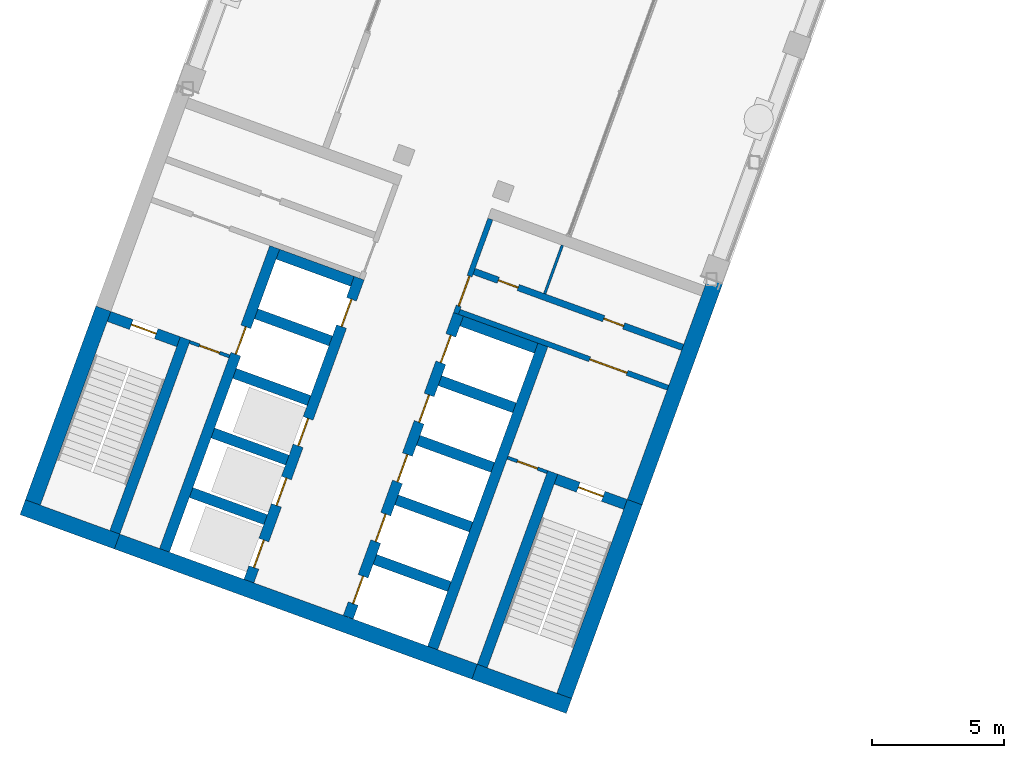
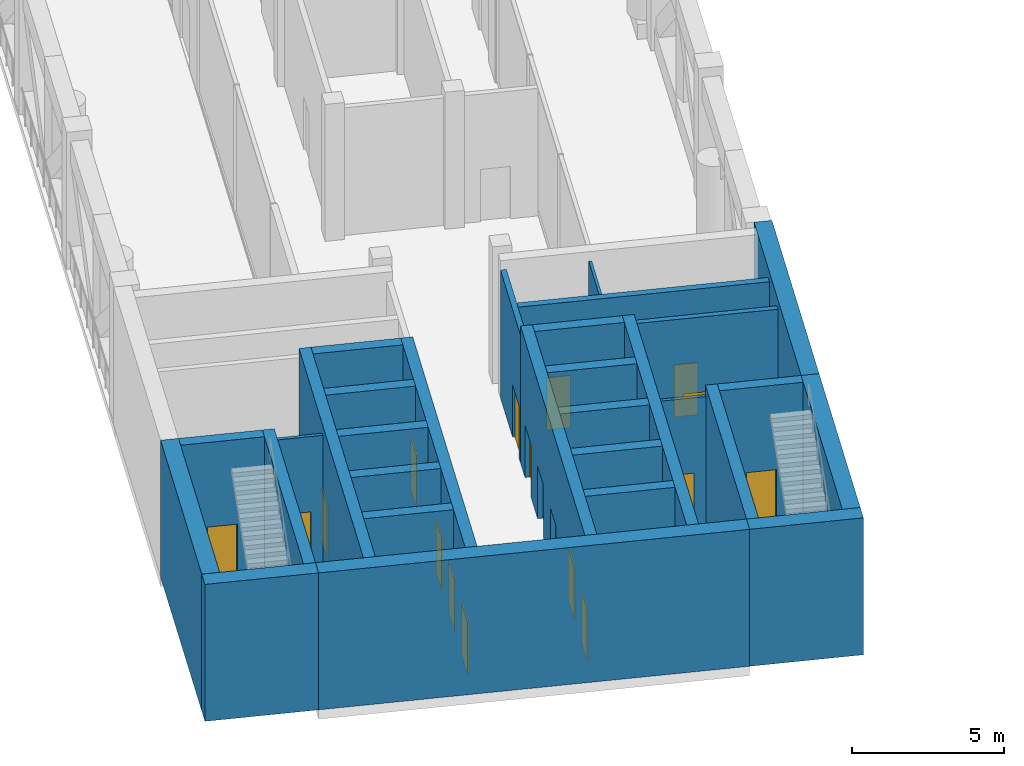
# One storey, part 11 of 19: 30 walls, 18 doors, 18 openings.
"""IFC4 building model written with IfcOpenShell, lengths in metres."""

import ifcopenshell
import ifcopenshell.guid

model = None  # the IFC model being written
_history = None  # IfcOwnerHistory: only IFC2X3 demands one
_inside = {}  # id of a spatial element -> (the spatial element, [elements in it])
_under = {}  # id of a project, library or spatial element -> (it, [spatial elements below it])
_declared = {}  # id of a project -> (the project, [libraries it declares])
_typed = {}  # id of a type object -> (the type object, [elements of that type])
_made_of = {}  # id of a material, layer set ... -> (it, [elements and type objects made of it])


def new_model(schema):
    """Start an empty IFC model of exactly this schema.

    Asked for "IFC4X3", IfcOpenShell would pick the latest addendum, in which some entities
    have other attributes; the version numbers below select the first issue.
    IFC2X3 requires an IfcOwnerHistory on every rooted entity: one is made here for all.
    """
    global model, _history
    if schema == "IFC4X3":
        model = ifcopenshell.file(schema_version=(4, 3, 0, 0))
    else:
        model = ifcopenshell.file(schema=schema)
    _inside.clear()
    _under.clear()
    _declared.clear()
    _typed.clear()
    _made_of.clear()
    _history = None
    if model.schema == "IFC2X3":
        org = make("IfcOrganization", Name="unknown")
        user = make(
            "IfcPersonAndOrganization",
            ThePerson=make("IfcPerson", FamilyName="unknown"),
            TheOrganization=org,
        )
        app = make(
            "IfcApplication",
            ApplicationDeveloper=org,
            Version="unknown",
            ApplicationFullName="unknown",
            ApplicationIdentifier="unknown",
        )
        _history = make(
            "IfcOwnerHistory",
            OwningUser=user,
            OwningApplication=app,
            ChangeAction="ADDED",
            CreationDate=0,
        )
    return model


def make(cls, **values):
    """One entity of the class cls with the attributes given. An attribute that is None is left unset."""
    return model.create_entity(
        cls, **{name: value for name, value in values.items() if value is not None}
    )


def rooted(cls, **values):
    """An entity with a GlobalId (a new one), such as an element, a storey or a relation."""
    return make(cls, GlobalId=ifcopenshell.guid.new(), OwnerHistory=_history, **values)


def si_unit(unit_type, name, prefix=None):
    """IfcSIUnit, for example si_unit("LENGTHUNIT", "METRE", prefix="MILLI")."""
    return make("IfcSIUnit", UnitType=unit_type, Prefix=prefix, Name=name)


def assignment(units):
    """IfcUnitAssignment: the units of a project."""
    return None if units is None else make("IfcUnitAssignment", Units=units)


def point(xyz):
    """IfcCartesianPoint."""
    return None if xyz is None else make("IfcCartesianPoint", Coordinates=xyz)


def direction(xyz):
    """IfcDirection."""
    return None if xyz is None else make("IfcDirection", DirectionRatios=xyz)


def frame(location, z_axis=None, x_axis=None):
    """IfcAxis2Placement3D, a coordinate frame: its origin and axes. An axis left out is left unset."""
    return make(
        "IfcAxis2Placement3D",
        Location=point(location),
        Axis=direction(z_axis),
        RefDirection=direction(x_axis),
    )


def frame_2d(location, x_axis=None):
    """IfcAxis2Placement2D, a coordinate frame in the plane: its origin and x axis."""
    return make(
        "IfcAxis2Placement2D", Location=point(location), RefDirection=direction(x_axis)
    )


def origin():
    """The frame at (0, 0, 0) with its axes left unset."""
    return frame((0.0, 0.0, 0.0))


def place(relative_to, where):
    """IfcLocalPlacement: puts the frame where relative to a parent placement (None: the world)."""
    return make(
        "IfcLocalPlacement", PlacementRelTo=relative_to, RelativePlacement=where
    )


def context(
    kind, dimensions, precision=None, world=None, true_north=None, identifier=None
):
    """IfcGeometricRepresentationContext, for example the 3D "Model" context."""
    return make(
        "IfcGeometricRepresentationContext",
        ContextIdentifier=identifier,
        ContextType=kind,
        CoordinateSpaceDimension=dimensions,
        Precision=precision,
        WorldCoordinateSystem=world,
        TrueNorth=true_north,
    )


def subcontext(parent, identifier, kind, view, scale=None):
    """IfcGeometricRepresentationSubContext, for example "Body" below "Model"."""
    return make(
        "IfcGeometricRepresentationSubContext",
        ContextIdentifier=identifier,
        ContextType=kind,
        ParentContext=parent,
        TargetScale=scale,
        TargetView=view,
    )


def project(units=None, contexts=None):
    """IfcProject with its units and contexts."""
    return rooted(
        "IfcProject",
        Name="project",
        RepresentationContexts=contexts,
        UnitsInContext=assignment(units),
    )


def spatial(cls, under=None, at=None, **own):
    """A site, building, storey or space (cls), placed at a placement, below another one or the project."""
    s = rooted(cls, ObjectPlacement=at, **own)
    if under is not None:
        _under.setdefault(under.id(), (under, []))[1].append(s)
    return s


def profile(cls, at=None, kind="AREA", **sizes):
    """A parametric profile (cls). Its sizes go by their IFC names, for example OverallWidth=200.0."""
    return make(cls, ProfileType=kind, Position=at, **sizes)


def rectangle(**sizes):
    """IfcRectangleProfileDef."""
    return profile("IfcRectangleProfileDef", **sizes)


def extrude(swept, where, along, depth):
    """IfcExtrudedAreaSolid: the profile swept, set in the frame where, extruded along a direction by depth."""
    return make(
        "IfcExtrudedAreaSolid",
        SweptArea=swept,
        Position=where,
        ExtrudedDirection=direction(along),
        Depth=depth,
    )


def shape(context_of_items, identifier, shape_type, items):
    """IfcShapeRepresentation: the items that make up one representation, for example the "Body"."""
    return make(
        "IfcShapeRepresentation",
        ContextOfItems=context_of_items,
        RepresentationIdentifier=identifier,
        RepresentationType=shape_type,
        Items=items,
    )


def material(Name=None, Category=None):
    """IfcMaterial."""
    return make("IfcMaterial", Name=Name, Category=Category)


def layer(
    of_material, thickness, ventilated=None, Name=None, Category=None, Priority=None
):
    """IfcMaterialLayer: one layer of a wall or slab, of a material (None: an air gap)."""
    return make(
        "IfcMaterialLayer",
        Material=of_material,
        LayerThickness=thickness,
        IsVentilated=ventilated,
        Name=Name,
        Category=Category,
        Priority=Priority,
    )


def layer_set(layers, Name=None):
    """IfcMaterialLayerSet."""
    return make("IfcMaterialLayerSet", MaterialLayers=layers, LayerSetName=Name)


def made_of(thing, what):
    """Note that an element or type object is made of a material, layer set ...; save() writes the relation."""
    if what is not None:
        _made_of.setdefault(what.id(), (what, []))[1].append(thing)
    return thing


def type_object(cls, material=None, **own):
    """A type object (cls), such as IfcWallType, which elements share."""
    return made_of(rooted(cls, **own), material)


def element(
    cls,
    number,
    at=None,
    inside=None,
    cuts=None,
    type_object=None,
    material=None,
    context=None,
    identifier="Body",
    shape_type=None,
    held_by="IfcProductDefinitionShape",
    body=None,
    shapes=None,
    **own,
):
    """One element of the class cls, such as IfcWall. Its Tag is "e" and its number.

    at: its placement. inside: the storey or other place that contains it. cuts: it is an
    opening in that element (IfcRelVoidsElement). A single representation is given by context,
    identifier, shape_type and body (its items); several are given by shapes. held_by: the class
    of the entity that holds the representations. save() writes the other relations.
    """
    e = rooted(cls, Tag="e%d" % number, ObjectPlacement=at, **own)
    if body is not None:
        shapes = [shape(context, identifier, shape_type, body)]
    if shapes is not None:
        e.Representation = make(held_by, Representations=shapes)
    if inside is not None:
        _inside.setdefault(inside.id(), (inside, []))[1].append(e)
    if cuts is not None:
        rooted(
            "IfcRelVoidsElement", RelatingBuildingElement=cuts, RelatedOpeningElement=e
        )
    if type_object is not None:
        _typed.setdefault(type_object.id(), (type_object, []))[1].append(e)
    return made_of(e, material)


def fill(opening, filler):
    """IfcRelFillsElement: the door or window that sits in an opening."""
    return rooted(
        "IfcRelFillsElement",
        RelatingOpeningElement=opening,
        RelatedBuildingElement=filler,
    )


def aggregate(whole, parts):
    """IfcRelAggregates: a whole, such as a stair, and the parts it consists of."""
    return rooted("IfcRelAggregates", RelatingObject=whole, RelatedObjects=parts)


def save(model, path):
    """Write the relations noted so far, then the file.

    IfcRelAggregates (storeys below a building ...), IfcRelContainedInSpatialStructure (elements
    in a storey), IfcRelDefinesByType, IfcRelAssociatesMaterial and IfcRelDeclares: one each for
    every whole, place, type object, material and project.
    """
    for whole, parts in _under.values():
        aggregate(whole, parts)
    for where, things in _inside.values():
        rooted(
            "IfcRelContainedInSpatialStructure",
            RelatedElements=things,
            RelatingStructure=where,
        )
    for kind, things in _typed.values():
        rooted("IfcRelDefinesByType", RelatedObjects=things, RelatingType=kind)
    for what, things in _made_of.values():
        rooted("IfcRelAssociatesMaterial", RelatedObjects=things, RelatingMaterial=what)
    for by, libraries in _declared.values():
        rooted("IfcRelDeclares", RelatingContext=by, RelatedDefinitions=libraries)
    model.write(path)


model = new_model("IFC4")

# Units and contexts
model_context = context("Model", 3, precision=1e-05, world=origin(), true_north=direction((0.0, 1.0)))
body_context = subcontext(model_context, "Body", "Model", "MODEL_VIEW")
ifc_project = project(units=[si_unit("LENGTHUNIT", "METRE"), si_unit("AREAUNIT", "SQUARE_METRE"), si_unit("VOLUMEUNIT", "CUBIC_METRE"), si_unit("PLANEANGLEUNIT", "RADIAN"), si_unit("MASSUNIT", "GRAM", prefix="KILO")], contexts=[model_context])

# Site, building, storey
site_placement = place(None, origin())
site = spatial("IfcSite", under=ifc_project, at=site_placement, CompositionType="ELEMENT")
building_placement = place(site_placement, origin())
building = spatial("IfcBuilding", under=site, at=building_placement, Name="Skarvind Civic Tower", CompositionType="ELEMENT")
storey_placement = place(building_placement, frame((0.0, 0.0, 129.0)))
storey = spatial("IfcBuildingStorey", under=building, at=storey_placement, Name="L30", CompositionType="ELEMENT", Elevation=129.0)

# Wall, opening, door
ifc_material_1 = material(Name="Fire-rated masonry partition", Category="masonry")
ifc_layer_1 = layer(ifc_material_1, 0.199951171875)
ifc_layer_set_1 = layer_set([ifc_layer_1], Name="Core enclosure wall 200")
wall_type_1 = type_object("IfcWallType", Name="Core enclosure wall 200", PredefinedType="PARTITIONING", material=ifc_layer_set_1)
wall_1_placement = place(storey_placement, frame((36.36181640625, 95.96435546875, 0.0), z_axis=(0.0, 0.0, 1.0), x_axis=(-0.341995824804, -0.939701471648, 0.0)))
wall_1 = element("IfcWall", 1, at=wall_1_placement, inside=storey, type_object=wall_type_1, Name="Core wall C2", PredefinedType="PARTITIONING", context=body_context, shape_type="SweptSolid", body=[
    extrude(rectangle(XDim=3.800048828125, YDim=0.199951171875, at=frame_2d((1.89990234375, 0.0))), origin(), (0.0, 0.0, 1.0), 5.125),
])
opening_1_placement = place(wall_1_placement, frame((2.300048828125, 0.0, 0.0)))
opening_1 = element("IfcOpeningElement", 2, at=opening_1_placement, cuts=wall_1, Name="Opening D-L30-C2-15", PredefinedType="OPENING", context=body_context, shape_type="SweptSolid", body=[
    extrude(rectangle(XDim=1.199951171875, YDim=2.10009765625, at=frame_2d((0.60009765625, 1.050048828125))), frame((0.0, 0.10986328125, 0.0), z_axis=(0.0, -1.0, 0.0), x_axis=(1.0, 0.0, 0.0)), (0.0, 0.0, 1.0), 0.219970703125),
])
ifc_material_2 = material(Name="Fire-rated steel door", Category="steel")
door_type_1 = type_object("IfcDoorType", Name="Core lobby door 1200", OperationType="NOTDEFINED", PredefinedType="DOOR", material=ifc_material_2)
door_1_placement = place(opening_1_placement, origin())
door_1 = element("IfcDoor", 3, at=door_1_placement, inside=storey, type_object=door_type_1, Name="Fire door", OperationType="DOUBLE_DOOR_SINGLE_SWING", OverallHeight=2.10009765625, OverallWidth=1.199951171875, PredefinedType="DOOR", context=body_context, shape_type="SweptSolid", body=[
    extrude(rectangle(XDim=1.199951171875, YDim=2.10009765625, at=frame_2d((0.60009765625, 1.050048828125))), frame((0.0, 0.02490234375, 0.0), z_axis=(0.0, -1.0, 0.0), x_axis=(1.0, 0.0, 0.0)), (0.0, 0.0, 1.0), 0.050048828125),
])
fill(opening_1, door_1)

wall_2_placement = place(storey_placement, frame((35.1904296875, 92.453369140625, 0.0), z_axis=(0.0, 0.0, 1.0), x_axis=(0.939691552312, -0.342023078919, 0.0)))
wall_2 = element("IfcWall", 4, at=wall_2_placement, inside=storey, type_object=wall_type_1, Name="Core wall C2", PredefinedType="PARTITIONING", context=body_context, shape_type="SweptSolid", body=[
    extrude(rectangle(XDim=8.400146484375, YDim=0.199951171875, at=frame_2d((4.2001953125, 0.0))), origin(), (0.0, 0.0, 1.0), 5.125),
])
opening_2_placement = place(wall_2_placement, frame((5.25, 0.0, 0.0)))
opening_2 = element("IfcOpeningElement", 5, at=opening_2_placement, cuts=wall_2, Name="Opening D-L30-C2-16", PredefinedType="OPENING", context=body_context, shape_type="SweptSolid", body=[
    extrude(rectangle(XDim=1.5, YDim=2.10009765625, at=frame_2d((0.75, 1.050048828125))), frame((0.0, 0.10986328125, 0.0), z_axis=(0.0, -1.0, 0.0), x_axis=(1.0, 0.0, 0.0)), (0.0, 0.0, 1.0), 0.219970703125),
])
door_type_2 = type_object("IfcDoorType", Name="Fire door 1500", OperationType="NOTDEFINED", PredefinedType="DOOR", material=ifc_material_2)
door_2_placement = place(opening_2_placement, origin())
door_2 = element("IfcDoor", 6, at=door_2_placement, inside=storey, type_object=door_type_2, Name="Fire door", OperationType="DOUBLE_DOOR_SINGLE_SWING", OverallHeight=2.10009765625, OverallWidth=1.5, PredefinedType="DOOR", context=body_context, shape_type="SweptSolid", body=[
    extrude(rectangle(XDim=1.5, YDim=2.10009765625, at=frame_2d((0.75, 1.050048828125))), frame((0.0, 0.02490234375, 0.0), z_axis=(0.0, -1.0, 0.0), x_axis=(1.0, 0.0, 0.0)), (0.0, 0.0, 1.0), 0.050048828125),
])
fill(opening_2, door_2)

# Walls
ifc_material_3 = material(Name="Fire-rated plasterboard partition")
ifc_layer_2 = layer(ifc_material_3, 0.10009765625)
ifc_layer_set_2 = layer_set([ifc_layer_2], Name="Core partition wall 100")
wall_type_2 = type_object("IfcWallType", Name="Core partition wall 100", PredefinedType="PARTITIONING", material=ifc_layer_set_2)
wall_3_placement = place(storey_placement, frame((39.087158203125, 94.97265625, 0.0), z_axis=(0.0, 0.0, 1.0), x_axis=(-0.342024501273, -0.939691034611, 0.0)))
element("IfcWall", 7, at=wall_3_placement, inside=storey, type_object=wall_type_2, Name="Core wall C2", PredefinedType="PARTITIONING", context=body_context, shape_type="SweptSolid", body=[
    extrude(rectangle(XDim=1.9501953125, YDim=0.10009765625, at=frame_2d((0.97509765625, 0.0))), origin(), (0.0, 0.0, 1.0), 5.125),
])
ifc_material_4 = material(Name="Concrete C80", Category="concrete")
ifc_layer_3 = layer(ifc_material_4, 0.39990234375)
ifc_layer_set_3 = layer_set([ifc_layer_3], Name="Core wall 400 C80")
wall_type_3 = type_object("IfcWallType", Name="Core wall 400 C80", PredefinedType="SHEAR", material=ifc_layer_set_3)
wall_4_placement = place(storey_placement, frame((36.057861328125, 79.04833984375, 0.0), z_axis=(0.0, 0.0, 1.0), x_axis=(0.342016982193, 0.939693771338, 0.0)))
element("IfcWall", 8, at=wall_4_placement, inside=storey, type_object=wall_type_3, Name="Core wall C2 south stair inner L30", PredefinedType="SHEAR", context=body_context, shape_type="SweptSolid", body=[
    extrude(rectangle(XDim=7.800048828125, YDim=0.39990234375, at=frame_2d((3.89990234375, 0.0))), origin(), (0.0, 0.0, 1.0), 5.5),
])

# Wall, opening, door
wall_5_placement = place(storey_placement, frame((41.476318359375, 85.163818359375, 0.0), z_axis=(0.0, 0.0, 1.0), x_axis=(-0.939678810556, 0.342058084236, 0.0)))
wall_5 = element("IfcWall", 9, at=wall_5_placement, inside=storey, type_object=wall_type_3, Name="Core wall C2 south stair end L30", PredefinedType="SHEAR", context=body_context, shape_type="SweptSolid", body=[
    extrude(rectangle(XDim=2.800048828125, YDim=0.39990234375, at=frame_2d((1.39990234375, 0.0))), origin(), (0.0, 0.0, 1.0), 5.5),
])
opening_3_placement = place(wall_5_placement, frame((0.89990234375, 0.0, 0.0)))
opening_3 = element("IfcOpeningElement", 10, at=opening_3_placement, cuts=wall_5, Name="Opening D-L30-C2-17", PredefinedType="OPENING", context=body_context, shape_type="SweptSolid", body=[
    extrude(rectangle(XDim=1.0, YDim=2.10009765625, at=frame_2d((0.5, 1.050048828125))), frame((0.0, 0.2099609375, 0.0), z_axis=(0.0, -1.0, 0.0), x_axis=(1.0, 0.0, 0.0)), (0.0, 0.0, 1.0), 0.419921875),
])
door_type_3 = type_object("IfcDoorType", Name="Fire door 1000", OperationType="NOTDEFINED", PredefinedType="DOOR", material=ifc_material_2)
door_3_placement = place(opening_3_placement, origin())
door_3 = element("IfcDoor", 11, at=door_3_placement, inside=storey, type_object=door_type_3, Name="Fire door", OperationType="SINGLE_SWING_RIGHT", OverallHeight=2.10009765625, OverallWidth=1.0, PredefinedType="DOOR", context=body_context, shape_type="SweptSolid", body=[
    extrude(rectangle(XDim=1.0, YDim=2.10009765625, at=frame_2d((0.5, 1.050048828125))), frame((0.0, 0.02490234375, 0.0), z_axis=(0.0, -1.0, 0.0), x_axis=(1.0, 0.0, 0.0)), (0.0, 0.0, 1.0), 0.050048828125),
])
fill(opening_3, door_3)

# Wall
wall_6_placement = place(storey_placement, frame((22.150390625, 84.110107421875, 0.0), z_axis=(0.0, 0.0, 1.0), x_axis=(0.342016982193, 0.939693771338, 0.0)))
element("IfcWall", 12, at=wall_6_placement, inside=storey, type_object=wall_type_3, Name="Core wall C2 north stair inner L30", PredefinedType="SHEAR", context=body_context, shape_type="SweptSolid", body=[
    extrude(rectangle(XDim=7.800048828125, YDim=0.39990234375, at=frame_2d((3.89990234375, 0.0))), origin(), (0.0, 0.0, 1.0), 5.5),
])

# Wall, opening, door
wall_7_placement = place(storey_placement, frame((24.56201171875, 91.3203125, 0.0), z_axis=(0.0, 0.0, 1.0), x_axis=(-0.939717030584, 0.341953070509, 0.0)))
wall_7 = element("IfcWall", 13, at=wall_7_placement, inside=storey, type_object=wall_type_3, Name="Core wall C2 north stair end L30", PredefinedType="SHEAR", context=body_context, shape_type="SweptSolid", body=[
    extrude(rectangle(XDim=2.800048828125, YDim=0.39990234375, at=frame_2d((1.39990234375, 0.0))), origin(), (0.0, 0.0, 1.0), 5.5),
])
opening_4_placement = place(wall_7_placement, frame((0.89990234375, 0.0, 0.0)))
opening_4 = element("IfcOpeningElement", 14, at=opening_4_placement, cuts=wall_7, Name="Opening D-L30-C2-12", PredefinedType="OPENING", context=body_context, shape_type="SweptSolid", body=[
    extrude(rectangle(XDim=1.0, YDim=2.10009765625, at=frame_2d((0.5, 1.050048828125))), frame((0.0, 0.2099609375, 0.0), z_axis=(0.0, -1.0, 0.0), x_axis=(1.0, 0.0, 0.0)), (0.0, 0.0, 1.0), 0.419921875),
])
door_4_placement = place(opening_4_placement, origin())
door_4 = element("IfcDoor", 15, at=door_4_placement, inside=storey, type_object=door_type_3, Name="Fire door", OperationType="SINGLE_SWING_LEFT", OverallHeight=2.10009765625, OverallWidth=1.0, PredefinedType="DOOR", context=body_context, shape_type="SweptSolid", body=[
    extrude(rectangle(XDim=1.0, YDim=2.10009765625, at=frame_2d((0.5, 1.050048828125))), frame((0.0, 0.02490234375, 0.0), z_axis=(0.0, -1.0, 0.0), x_axis=(1.0, 0.0, 0.0)), (0.0, 0.0, 1.0), 0.050048828125),
])
fill(opening_4, door_4)

# Wall, openings, doors
wall_8_placement = place(storey_placement, frame((30.983642578125, 80.895263671875, 0.0), z_axis=(0.0, 0.0, 1.0), x_axis=(0.342021021735, 0.939692301071, 0.0)))
wall_8 = element("IfcWall", 16, at=wall_8_placement, inside=storey, type_object=wall_type_3, Name="Core wall C2 south lift row front L30", PredefinedType="SHEAR", context=body_context, shape_type="SweptSolid", body=[
    extrude(rectangle(XDim=12.199951171875, YDim=0.39990234375, at=frame_2d((6.10009765625, 0.0))), origin(), (0.0, 0.0, 1.0), 5.5),
])
opening_5_placement = place(wall_8_placement, frame((0.550048828125, 0.0, 0.0)))
opening_5 = element("IfcOpeningElement", 17, at=opening_5_placement, cuts=wall_8, Name="Opening LD32206", PredefinedType="OPENING", context=body_context, shape_type="SweptSolid", body=[
    extrude(rectangle(XDim=1.10009765625, YDim=2.10009765625, at=frame_2d((0.550048828125, 1.050048828125))), frame((0.0, 0.2099609375, 0.0), z_axis=(0.0, -1.0, 0.0), x_axis=(1.0, 0.0, 0.0)), (0.0, 0.0, 1.0), 0.419921875),
])
opening_6_placement = place(wall_8_placement, frame((3.050048828125, 0.0, 0.0)))
opening_6 = element("IfcOpeningElement", 18, at=opening_6_placement, cuts=wall_8, Name="Opening LD32207", PredefinedType="OPENING", context=body_context, shape_type="SweptSolid", body=[
    extrude(rectangle(XDim=1.10009765625, YDim=2.10009765625, at=frame_2d((0.550048828125, 1.050048828125))), frame((0.0, 0.2099609375, 0.0), z_axis=(0.0, -1.0, 0.0), x_axis=(1.0, 0.0, 0.0)), (0.0, 0.0, 1.0), 0.419921875),
])
opening_7_placement = place(wall_8_placement, frame((5.449951171875, 0.0, 0.0)))
opening_7 = element("IfcOpeningElement", 19, at=opening_7_placement, cuts=wall_8, Name="Opening LD32208", PredefinedType="OPENING", context=body_context, shape_type="SweptSolid", body=[
    extrude(rectangle(XDim=1.10009765625, YDim=2.10009765625, at=frame_2d((0.550048828125, 1.050048828125))), frame((0.0, 0.2099609375, 0.0), z_axis=(0.0, -1.0, 0.0), x_axis=(1.0, 0.0, 0.0)), (0.0, 0.0, 1.0), 0.419921875),
])
opening_8_placement = place(wall_8_placement, frame((7.85009765625, 0.0, 0.0)))
opening_8 = element("IfcOpeningElement", 20, at=opening_8_placement, cuts=wall_8, Name="Opening LD32209", PredefinedType="OPENING", context=body_context, shape_type="SweptSolid", body=[
    extrude(rectangle(XDim=1.10009765625, YDim=2.10009765625, at=frame_2d((0.550048828125, 1.050048828125))), frame((0.0, 0.2099609375, 0.0), z_axis=(0.0, -1.0, 0.0), x_axis=(1.0, 0.0, 0.0)), (0.0, 0.0, 1.0), 0.419921875),
])
opening_9_placement = place(wall_8_placement, frame((10.25, 0.0, 0.0)))
opening_9 = element("IfcOpeningElement", 21, at=opening_9_placement, cuts=wall_8, Name="Opening LD32210", PredefinedType="OPENING", context=body_context, shape_type="SweptSolid", body=[
    extrude(rectangle(XDim=1.10009765625, YDim=2.10009765625, at=frame_2d((0.550048828125, 1.050048828125))), frame((0.0, 0.2099609375, 0.0), z_axis=(0.0, -1.0, 0.0), x_axis=(1.0, 0.0, 0.0)), (0.0, 0.0, 1.0), 0.419921875),
])
ifc_material_5 = material(Name="Stainless steel landing door", Category="steel")
door_type_4 = type_object("IfcDoorType", Name="Lift landing door 1100", OperationType="DOUBLE_DOOR_SLIDING", PredefinedType="DOOR", material=ifc_material_5)
door_5_placement = place(opening_5_placement, origin())
door_5 = element("IfcDoor", 22, at=door_5_placement, inside=storey, type_object=door_type_4, Name="Lift landing door", OperationType="DOUBLE_DOOR_SLIDING", OverallHeight=2.10009765625, OverallWidth=1.10009765625, PredefinedType="DOOR", context=body_context, shape_type="SweptSolid", body=[
    extrude(rectangle(XDim=1.10009765625, YDim=2.10009765625, at=frame_2d((0.550048828125, 1.050048828125))), frame((0.0, 0.02490234375, 0.0), z_axis=(0.0, -1.0, 0.0), x_axis=(1.0, 0.0, 0.0)), (0.0, 0.0, 1.0), 0.050048828125),
])
fill(opening_5, door_5)
door_6_placement = place(opening_6_placement, origin())
door_6 = element("IfcDoor", 23, at=door_6_placement, inside=storey, type_object=door_type_4, Name="Lift landing door", OperationType="DOUBLE_DOOR_SLIDING", OverallHeight=2.10009765625, OverallWidth=1.10009765625, PredefinedType="DOOR", context=body_context, shape_type="SweptSolid", body=[
    extrude(rectangle(XDim=1.10009765625, YDim=2.10009765625, at=frame_2d((0.550048828125, 1.050048828125))), frame((0.0, 0.02490234375, 0.0), z_axis=(0.0, -1.0, 0.0), x_axis=(1.0, 0.0, 0.0)), (0.0, 0.0, 1.0), 0.050048828125),
])
fill(opening_6, door_6)
door_7_placement = place(opening_7_placement, origin())
door_7 = element("IfcDoor", 24, at=door_7_placement, inside=storey, type_object=door_type_4, Name="Lift landing door", OperationType="DOUBLE_DOOR_SLIDING", OverallHeight=2.10009765625, OverallWidth=1.10009765625, PredefinedType="DOOR", context=body_context, shape_type="SweptSolid", body=[
    extrude(rectangle(XDim=1.10009765625, YDim=2.10009765625, at=frame_2d((0.550048828125, 1.050048828125))), frame((0.0, 0.02490234375, 0.0), z_axis=(0.0, -1.0, 0.0), x_axis=(1.0, 0.0, 0.0)), (0.0, 0.0, 1.0), 0.050048828125),
])
fill(opening_7, door_7)
door_8_placement = place(opening_8_placement, origin())
door_8 = element("IfcDoor", 25, at=door_8_placement, inside=storey, type_object=door_type_4, Name="Lift landing door", OperationType="DOUBLE_DOOR_SLIDING", OverallHeight=2.10009765625, OverallWidth=1.10009765625, PredefinedType="DOOR", context=body_context, shape_type="SweptSolid", body=[
    extrude(rectangle(XDim=1.10009765625, YDim=2.10009765625, at=frame_2d((0.550048828125, 1.050048828125))), frame((0.0, 0.02490234375, 0.0), z_axis=(0.0, -1.0, 0.0), x_axis=(1.0, 0.0, 0.0)), (0.0, 0.0, 1.0), 0.050048828125),
])
fill(opening_8, door_8)
door_9_placement = place(opening_9_placement, origin())
door_9 = element("IfcDoor", 26, at=door_9_placement, inside=storey, type_object=door_type_4, Name="Lift landing door", OperationType="DOUBLE_DOOR_SLIDING", OverallHeight=2.10009765625, OverallWidth=1.10009765625, PredefinedType="DOOR", context=body_context, shape_type="SweptSolid", body=[
    extrude(rectangle(XDim=1.10009765625, YDim=2.10009765625, at=frame_2d((0.550048828125, 1.050048828125))), frame((0.0, 0.02490234375, 0.0), z_axis=(0.0, -1.0, 0.0), x_axis=(1.0, 0.0, 0.0)), (0.0, 0.0, 1.0), 0.050048828125),
])
fill(opening_9, door_9)

# Walls
wall_9_placement = place(storey_placement, frame((34.178466796875, 79.732177734375, 0.0), z_axis=(0.0, 0.0, 1.0), x_axis=(0.342014590177, 0.939694641948, 0.0)))
element("IfcWall", 27, at=wall_9_placement, inside=storey, type_object=wall_type_3, Name="Core wall C2 south lift row back L30", PredefinedType="SHEAR", context=body_context, shape_type="SweptSolid", body=[
    extrude(rectangle(XDim=12.2001953125, YDim=0.39990234375, at=frame_2d((6.10009765625, 0.0))), origin(), (0.0, 0.0, 1.0), 5.5),
])
for number, where, z_axis, x_axis, name in (
    (28, (34.8115234375, 82.055908203125, 0.0), (0.0, 0.0, 1.0), (-0.939686455819, 0.342037080957, 0.0), "Core wall C2 south lift row division 1 L30"),
    (29, (35.63232421875, 84.311279296875, 0.0), (0.0, 0.0, 1.0), (-0.939712609717, 0.341965219194, 0.0), "Core wall C2 south lift row division 2 L30"),
    (30, (36.453125, 86.56640625, 0.0), (0.0, 0.0, 1.0), (-0.939686455819, 0.342037080957, 0.0), "Core wall C2 south lift row division 3 L30"),
    (31, (37.27392578125, 88.82177734375, 0.0), (0.0, 0.0, 1.0), (-0.939686455819, 0.342037080957, 0.0), "Core wall C2 south lift row division 4 L30"),
):
    element("IfcWall", number, at=place(storey_placement, frame(where, z_axis=z_axis, x_axis=x_axis)), inside=storey, type_object=wall_type_3, Name=name, PredefinedType="SHEAR", context=body_context, shape_type="SweptSolid", body=[
        extrude(rectangle(XDim=3.0, YDim=0.39990234375, at=frame_2d((1.5, 0.0))), origin(), (0.0, 0.0, 1.0), 5.5),
    ])
wall_10_placement = place(storey_placement, frame((38.0947265625, 91.076904296875, 0.0), z_axis=(0.0, 0.0, 1.0), x_axis=(-0.939676934218, 0.342063238742, 0.0)))
element("IfcWall", 32, at=wall_10_placement, inside=storey, type_object=wall_type_3, Name="Core wall C2 south lift row division 5 L30", PredefinedType="SHEAR", context=body_context, shape_type="SweptSolid", body=[
    extrude(rectangle(XDim=2.999755859375, YDim=0.39990234375, at=frame_2d((1.5, 0.0))), origin(), (0.0, 0.0, 1.0), 5.5),
])

# Wall, openings, doors
wall_11_placement = place(storey_placement, frame((27.224853515625, 82.26318359375, 0.0), z_axis=(0.0, 0.0, 1.0), x_axis=(0.342014590177, 0.939694641948, 0.0)))
wall_11 = element("IfcWall", 33, at=wall_11_placement, inside=storey, type_object=wall_type_3, Name="Core wall C2 north lift row front L30", PredefinedType="SHEAR", context=body_context, shape_type="SweptSolid", body=[
    extrude(rectangle(XDim=12.2001953125, YDim=0.39990234375, at=frame_2d((6.10009765625, 0.0))), origin(), (0.0, 0.0, 1.0), 5.5),
])
opening_10_placement = place(wall_11_placement, frame((0.550048828125, 0.0, 0.0)))
opening_10 = element("IfcOpeningElement", 34, at=opening_10_placement, cuts=wall_11, Name="Opening LD32201", PredefinedType="OPENING", context=body_context, shape_type="SweptSolid", body=[
    extrude(rectangle(XDim=1.10009765625, YDim=2.10009765625, at=frame_2d((0.550048828125, 1.050048828125))), frame((0.0, 0.2099609375, 0.0), z_axis=(0.0, -1.0, 0.0), x_axis=(1.0, 0.0, 0.0)), (0.0, 0.0, 1.0), 0.419921875),
])
opening_11_placement = place(wall_11_placement, frame((3.050048828125, 0.0, 0.0)))
opening_11 = element("IfcOpeningElement", 35, at=opening_11_placement, cuts=wall_11, Name="Opening LD32202", PredefinedType="OPENING", context=body_context, shape_type="SweptSolid", body=[
    extrude(rectangle(XDim=1.10009765625, YDim=2.10009765625, at=frame_2d((0.550048828125, 1.050048828125))), frame((0.0, 0.2099609375, 0.0), z_axis=(0.0, -1.0, 0.0), x_axis=(1.0, 0.0, 0.0)), (0.0, 0.0, 1.0), 0.419921875),
])
opening_12_placement = place(wall_11_placement, frame((5.449951171875, 0.0, 0.0)))
opening_12 = element("IfcOpeningElement", 36, at=opening_12_placement, cuts=wall_11, Name="Opening LD32203", PredefinedType="OPENING", context=body_context, shape_type="SweptSolid", body=[
    extrude(rectangle(XDim=1.10009765625, YDim=2.10009765625, at=frame_2d((0.550048828125, 1.050048828125))), frame((0.0, 0.2099609375, 0.0), z_axis=(0.0, -1.0, 0.0), x_axis=(1.0, 0.0, 0.0)), (0.0, 0.0, 1.0), 0.419921875),
])
opening_13_placement = place(wall_11_placement, frame((10.25, 0.0, 0.0)))
opening_13 = element("IfcOpeningElement", 37, at=opening_13_placement, cuts=wall_11, Name="Opening LD32205", PredefinedType="OPENING", context=body_context, shape_type="SweptSolid", body=[
    extrude(rectangle(XDim=1.10009765625, YDim=2.10009765625, at=frame_2d((0.550048828125, 1.050048828125))), frame((0.0, 0.2099609375, 0.0), z_axis=(0.0, -1.0, 0.0), x_axis=(1.0, 0.0, 0.0)), (0.0, 0.0, 1.0), 0.419921875),
])
door_10_placement = place(opening_10_placement, origin())
door_10 = element("IfcDoor", 38, at=door_10_placement, inside=storey, type_object=door_type_4, Name="Lift landing door", OperationType="DOUBLE_DOOR_SLIDING", OverallHeight=2.10009765625, OverallWidth=1.10009765625, PredefinedType="DOOR", context=body_context, shape_type="SweptSolid", body=[
    extrude(rectangle(XDim=1.10009765625, YDim=2.10009765625, at=frame_2d((0.550048828125, 1.050048828125))), frame((0.0, 0.02490234375, 0.0), z_axis=(0.0, -1.0, 0.0), x_axis=(1.0, 0.0, 0.0)), (0.0, 0.0, 1.0), 0.050048828125),
])
fill(opening_10, door_10)
door_11_placement = place(opening_11_placement, origin())
door_11 = element("IfcDoor", 39, at=door_11_placement, inside=storey, type_object=door_type_4, Name="Lift landing door", OperationType="DOUBLE_DOOR_SLIDING", OverallHeight=2.10009765625, OverallWidth=1.10009765625, PredefinedType="DOOR", context=body_context, shape_type="SweptSolid", body=[
    extrude(rectangle(XDim=1.10009765625, YDim=2.10009765625, at=frame_2d((0.550048828125, 1.050048828125))), frame((0.0, 0.02490234375, 0.0), z_axis=(0.0, -1.0, 0.0), x_axis=(1.0, 0.0, 0.0)), (0.0, 0.0, 1.0), 0.050048828125),
])
fill(opening_11, door_11)
door_12_placement = place(opening_12_placement, origin())
door_12 = element("IfcDoor", 40, at=door_12_placement, inside=storey, type_object=door_type_4, Name="Lift landing door", OperationType="DOUBLE_DOOR_SLIDING", OverallHeight=2.10009765625, OverallWidth=1.10009765625, PredefinedType="DOOR", context=body_context, shape_type="SweptSolid", body=[
    extrude(rectangle(XDim=1.10009765625, YDim=2.10009765625, at=frame_2d((0.550048828125, 1.050048828125))), frame((0.0, 0.02490234375, 0.0), z_axis=(0.0, -1.0, 0.0), x_axis=(1.0, 0.0, 0.0)), (0.0, 0.0, 1.0), 0.050048828125),
])
fill(opening_12, door_12)
door_13_placement = place(opening_13_placement, origin())
door_13 = element("IfcDoor", 41, at=door_13_placement, inside=storey, type_object=door_type_4, Name="Lift landing door", OperationType="DOUBLE_DOOR_SLIDING", OverallHeight=2.10009765625, OverallWidth=1.10009765625, PredefinedType="DOOR", context=body_context, shape_type="SweptSolid", body=[
    extrude(rectangle(XDim=1.10009765625, YDim=2.10009765625, at=frame_2d((0.550048828125, 1.050048828125))), frame((0.0, 0.02490234375, 0.0), z_axis=(0.0, -1.0, 0.0), x_axis=(1.0, 0.0, 0.0)), (0.0, 0.0, 1.0), 0.050048828125),
])
fill(opening_13, door_13)

# Wall, opening, door
wall_12_placement = place(storey_placement, frame((24.02978515625, 83.426025390625, 0.0), z_axis=(0.0, 0.0, 1.0), x_axis=(0.342014590177, 0.939694641948, 0.0)))
wall_12 = element("IfcWall", 42, at=wall_12_placement, inside=storey, type_object=wall_type_3, Name="Core wall C2 north lift row back L30", PredefinedType="SHEAR", context=body_context, shape_type="SweptSolid", body=[
    extrude(rectangle(XDim=12.2001953125, YDim=0.39990234375, at=frame_2d((6.10009765625, 0.0))), origin(), (0.0, 0.0, 1.0), 5.5),
])
opening_14_placement = place(wall_12_placement, frame((7.89990234375, 0.0, 0.0)))
opening_14 = element("IfcOpeningElement", 43, at=opening_14_placement, cuts=wall_12, Name="Opening LD32204", PredefinedType="OPENING", context=body_context, shape_type="SweptSolid", body=[
    extrude(rectangle(XDim=1.10009765625, YDim=2.10009765625, at=frame_2d((0.550048828125, 1.050048828125))), frame((0.0, 0.2099609375, 0.0), z_axis=(0.0, -1.0, 0.0), x_axis=(1.0, 0.0, 0.0)), (0.0, 0.0, 1.0), 0.419921875),
])
door_14_placement = place(opening_14_placement, origin())
door_14 = element("IfcDoor", 44, at=door_14_placement, inside=storey, type_object=door_type_4, Name="Lift landing door", OperationType="DOUBLE_DOOR_SLIDING", OverallHeight=2.10009765625, OverallWidth=1.10009765625, PredefinedType="DOOR", context=body_context, shape_type="SweptSolid", body=[
    extrude(rectangle(XDim=1.10009765625, YDim=2.10009765625, at=frame_2d((0.550048828125, 1.050048828125))), frame((0.0, 0.02490234375, 0.0), z_axis=(0.0, -1.0, 0.0), x_axis=(1.0, 0.0, 0.0)), (0.0, 0.0, 1.0), 0.050048828125),
])
fill(opening_14, door_14)

# Walls
wall_13_placement = place(storey_placement, frame((27.857666015625, 84.5869140625, 0.0), z_axis=(0.0, 0.0, 1.0), x_axis=(-0.939686455819, 0.342037080957, 0.0)))
element("IfcWall", 45, at=wall_13_placement, inside=storey, type_object=wall_type_3, Name="Core wall C2 north lift row division 1 L30", PredefinedType="SHEAR", context=body_context, shape_type="SweptSolid", body=[
    extrude(rectangle(XDim=3.0, YDim=0.39990234375, at=frame_2d((1.5, 0.0))), origin(), (0.0, 0.0, 1.0), 5.5),
])
wall_14_placement = place(storey_placement, frame((28.678466796875, 86.842041015625, 0.0), z_axis=(0.0, 0.0, 1.0), x_axis=(-0.939676934218, 0.342063238742, 0.0)))
element("IfcWall", 46, at=wall_14_placement, inside=storey, type_object=wall_type_3, Name="Core wall C2 north lift row division 2 L30", PredefinedType="SHEAR", context=body_context, shape_type="SweptSolid", body=[
    extrude(rectangle(XDim=2.999755859375, YDim=0.39990234375, at=frame_2d((1.5, 0.0))), origin(), (0.0, 0.0, 1.0), 5.5),
])
for number, where, z_axis, x_axis, name in (
    (47, (29.49951171875, 89.097412109375, 0.0), (0.0, 0.0, 1.0), (-0.939686455819, 0.342037080957, 0.0), "Core wall C2 north lift row division 3 L30"),
    (48, (30.3203125, 91.352783203125, 0.0), (0.0, 0.0, 1.0), (-0.939712609717, 0.341965219194, 0.0), "Core wall C2 north lift row division 4 L30"),
    (49, (31.14111328125, 93.60791015625, 0.0), (0.0, 0.0, 1.0), (-0.939686455819, 0.342037080957, 0.0), "Core wall C2 north lift row division 5 L30"),
):
    element("IfcWall", number, at=place(storey_placement, frame(where, z_axis=z_axis, x_axis=x_axis)), inside=storey, type_object=wall_type_3, Name=name, PredefinedType="SHEAR", context=body_context, shape_type="SweptSolid", body=[
        extrude(rectangle(XDim=3.0, YDim=0.39990234375, at=frame_2d((1.5, 0.0))), origin(), (0.0, 0.0, 1.0), 5.5),
    ])
ifc_layer_4 = layer(ifc_material_4, 0.60009765625)
ifc_layer_set_4 = layer_set([ifc_layer_4], Name="Core wall 600 C80")
wall_type_4 = type_object("IfcWallType", Name="Core wall 600 C80", PredefinedType="SHEAR", material=ifc_layer_set_4)
wall_15_placement = place(storey_placement, frame((39.338134765625, 77.53515625, 0.0), z_axis=(0.0, 0.0, 1.0), x_axis=(-0.939701471648, 0.341995824804, 0.0)))
element("IfcWall", 50, at=wall_15_placement, inside=storey, type_object=wall_type_4, Name="Core wall C2 tip at the south stair L30", PredefinedType="SHEAR", context=body_context, shape_type="SweptSolid", body=[
    extrude(rectangle(XDim=3.800048828125, YDim=0.60009765625, at=frame_2d((1.89990234375, 0.0))), origin(), (0.0, 0.0, 1.0), 5.5),
])
wall_16_placement = place(storey_placement, frame((35.767333984375, 78.834716796875, 0.0), z_axis=(0.0, 0.0, 1.0), x_axis=(-0.939692894512, 0.342019391267, 0.0)))
element("IfcWall", 51, at=wall_16_placement, inside=storey, type_object=wall_type_4, Name="Core wall C2 tip between the stairs L30", PredefinedType="SHEAR", context=body_context, shape_type="SweptSolid", body=[
    extrude(rectangle(XDim=14.39990234375, YDim=0.60009765625, at=frame_2d((7.199951171875, 0.0))), origin(), (0.0, 0.0, 1.0), 5.5),
])
wall_17_placement = place(storey_placement, frame((22.23583984375, 83.759765625, 0.0), z_axis=(0.0, 0.0, 1.0), x_axis=(-0.939680822529, 0.342052557032, 0.0)))
element("IfcWall", 52, at=wall_17_placement, inside=storey, type_object=wall_type_4, Name="Core wall C2 tip at the north stair L30", PredefinedType="SHEAR", context=body_context, shape_type="SweptSolid", body=[
    extrude(rectangle(XDim=3.800048828125, YDim=0.60009765625, at=frame_2d((1.89990234375, 0.0))), origin(), (0.0, 0.0, 1.0), 5.5),
])
for number, where, z_axis, x_axis, name in (
    (53, (39.158935546875, 77.919677734375, 0.0), (0.0, 0.0, 1.0), (0.342016982193, 0.939693771338, 0.0), "Core wall C2 south side at the stair L30"),
    (54, (19.049560546875, 85.23876953125, 0.0), (0.0, 0.0, 1.0), (0.342016982193, 0.939693771338, 0.0), "Core wall C2 north side at the stair L30"),
):
    element("IfcWall", number, at=place(storey_placement, frame(where, z_axis=z_axis, x_axis=x_axis)), inside=storey, type_object=wall_type_4, Name=name, PredefinedType="SHEAR", context=body_context, shape_type="SweptSolid", body=[
        extrude(rectangle(XDim=7.800048828125, YDim=0.60009765625, at=frame_2d((3.89990234375, 0.0))), origin(), (0.0, 0.0, 1.0), 5.5),
    ])
wall_18_placement = place(storey_placement, frame((41.82666015625, 85.249267578125, 0.0), z_axis=(0.0, 0.0, 1.0), x_axis=(0.342017595281, 0.939693548195, 0.0)))
element("IfcWall", 55, at=wall_18_placement, inside=storey, type_object=wall_type_4, Name="Core wall C2 south side L30", PredefinedType="SHEAR", context=body_context, shape_type="SweptSolid", body=[
    extrude(rectangle(XDim=8.925048828125, YDim=0.60009765625, at=frame_2d((4.46240234375, 0.0))), origin(), (0.0, 0.0, 1.0), 5.5),
])

# Wall, opening, door
ifc_layer_5 = layer(ifc_material_1, 0.125)
ifc_layer_set_5 = layer_set([ifc_layer_5], Name="Riser wall 125")
wall_type_5 = type_object("IfcWallType", Name="Riser wall 125", PredefinedType="PARTITIONING", material=ifc_layer_set_5)
wall_19_placement = place(storey_placement, frame((24.98486328125, 91.3125, 0.0), z_axis=(0.0, 0.0, 1.0), x_axis=(0.939708740826, -0.341975850632, 0.0)))
wall_19 = element("IfcWall", 56, at=wall_19_placement, inside=storey, type_object=wall_type_5, Name="Core wall C2", PredefinedType="PARTITIONING", context=body_context, shape_type="SweptSolid", body=[
    extrude(rectangle(XDim=1.599853515625, YDim=0.125, at=frame_2d((0.7998046875, 0.0))), origin(), (0.0, 0.0, 1.0), 5.125),
])
opening_15_placement = place(wall_19_placement, frame((0.39990234375, 0.0, 0.0)))
opening_15 = element("IfcOpeningElement", 57, at=opening_15_placement, cuts=wall_19, Name="Opening D-L30-C2-13", PredefinedType="OPENING", context=body_context, shape_type="SweptSolid", body=[
    extrude(rectangle(XDim=0.800048828125, YDim=2.10009765625, at=frame_2d((0.39990234375, 1.050048828125))), frame((0.0, 0.072509765625, 0.0), z_axis=(0.0, -1.0, 0.0), x_axis=(1.0, 0.0, 0.0)), (0.0, 0.0, 1.0), 0.14501953125),
])
door_type_5 = type_object("IfcDoorType", Name="Core riser door 800", OperationType="NOTDEFINED", PredefinedType="DOOR", material=ifc_material_2)
door_15_placement = place(opening_15_placement, origin())
door_15 = element("IfcDoor", 58, at=door_15_placement, inside=storey, type_object=door_type_5, Name="Riser door", OperationType="SINGLE_SWING_RIGHT", OverallHeight=2.10009765625, OverallWidth=0.800048828125, PredefinedType="DOOR", context=body_context, shape_type="SweptSolid", body=[
    extrude(rectangle(XDim=0.800048828125, YDim=2.10009765625, at=frame_2d((0.39990234375, 1.050048828125))), frame((0.0, 0.02490234375, 0.0), z_axis=(0.0, -1.0, 0.0), x_axis=(1.0, 0.0, 0.0)), (0.0, 0.0, 1.0), 0.050048828125),
])
fill(opening_15, door_15)

wall_20_placement = place(storey_placement, frame((37.012939453125, 86.934814453125, 0.0), z_axis=(0.0, 0.0, 1.0), x_axis=(0.939659694648, -0.342110593602, 0.0)))
wall_20 = element("IfcWall", 59, at=wall_20_placement, inside=storey, type_object=wall_type_5, Name="Core wall C2", PredefinedType="PARTITIONING", context=body_context, shape_type="SweptSolid", body=[
    extrude(rectangle(XDim=1.599853515625, YDim=0.125, at=frame_2d((0.7998046875, 0.0))), origin(), (0.0, 0.0, 1.0), 5.125),
])
opening_16_placement = place(wall_20_placement, frame((0.39990234375, 0.0, 0.0)))
opening_16 = element("IfcOpeningElement", 60, at=opening_16_placement, cuts=wall_20, Name="Opening D-L30-C2-18", PredefinedType="OPENING", context=body_context, shape_type="SweptSolid", body=[
    extrude(rectangle(XDim=0.800048828125, YDim=2.10009765625, at=frame_2d((0.39990234375, 1.050048828125))), frame((0.0, 0.072509765625, 0.0), z_axis=(0.0, -1.0, 0.0), x_axis=(1.0, 0.0, 0.0)), (0.0, 0.0, 1.0), 0.14501953125),
])
door_16_placement = place(opening_16_placement, origin())
door_16 = element("IfcDoor", 61, at=door_16_placement, inside=storey, type_object=door_type_5, Name="Riser door", OperationType="SINGLE_SWING_LEFT", OverallHeight=2.10009765625, OverallWidth=0.800048828125, PredefinedType="DOOR", context=body_context, shape_type="SweptSolid", body=[
    extrude(rectangle(XDim=0.800048828125, YDim=2.10009765625, at=frame_2d((0.39990234375, 1.050048828125))), frame((0.0, 0.02490234375, 0.0), z_axis=(0.0, -1.0, 0.0), x_axis=(1.0, 0.0, 0.0)), (0.0, 0.0, 1.0), 0.050048828125),
])
fill(opening_16, door_16)

# Wall, openings, doors
ifc_layer_6 = layer(ifc_material_1, 0.25)
ifc_layer_set_6 = layer_set([ifc_layer_6], Name="Service block wall 250")
wall_type_6 = type_object("IfcWallType", Name="Service block wall 250", PredefinedType="PARTITIONING", material=ifc_layer_set_6)
wall_21_placement = place(storey_placement, frame((35.74609375, 93.98046875, 0.0), z_axis=(0.0, 0.0, 1.0), x_axis=(0.939691552312, -0.342023078919, 0.0)))
wall_21 = element("IfcWall", 62, at=wall_21_placement, inside=storey, type_object=wall_type_6, Name="Core wall C2", PredefinedType="PARTITIONING", context=body_context, shape_type="SweptSolid", body=[
    extrude(rectangle(XDim=8.400146484375, YDim=0.25, at=frame_2d((4.2001953125, 0.0))), origin(), (0.0, 0.0, 1.0), 5.125),
])
opening_17_placement = place(wall_21_placement, frame((0.97509765625, 0.0, 0.0)))
opening_17 = element("IfcOpeningElement", 63, at=opening_17_placement, cuts=wall_21, Name="Opening D-L30-C2-19", PredefinedType="OPENING", context=body_context, shape_type="SweptSolid", body=[
    extrude(rectangle(XDim=0.800048828125, YDim=2.10009765625, at=frame_2d((0.39990234375, 1.050048828125))), frame((0.0, 0.135009765625, 0.0), z_axis=(0.0, -1.0, 0.0), x_axis=(1.0, 0.0, 0.0)), (0.0, 0.0, 1.0), 0.27001953125),
])
opening_18_placement = place(wall_21_placement, frame((5.22509765625, 0.0, 0.0)))
opening_18 = element("IfcOpeningElement", 64, at=opening_18_placement, cuts=wall_21, Name="Opening D-L30-C2-20", PredefinedType="OPENING", context=body_context, shape_type="SweptSolid", body=[
    extrude(rectangle(XDim=0.800048828125, YDim=2.10009765625, at=frame_2d((0.39990234375, 1.050048828125))), frame((0.0, 0.135009765625, 0.0), z_axis=(0.0, -1.0, 0.0), x_axis=(1.0, 0.0, 0.0)), (0.0, 0.0, 1.0), 0.27001953125),
])
door_17_placement = place(opening_17_placement, origin())
door_17 = element("IfcDoor", 65, at=door_17_placement, inside=storey, type_object=door_type_5, Name="Riser door", OperationType="SINGLE_SWING_RIGHT", OverallHeight=2.10009765625, OverallWidth=0.800048828125, PredefinedType="DOOR", context=body_context, shape_type="SweptSolid", body=[
    extrude(rectangle(XDim=0.800048828125, YDim=2.10009765625, at=frame_2d((0.39990234375, 1.050048828125))), frame((0.0, 0.02490234375, 0.0), z_axis=(0.0, -1.0, 0.0), x_axis=(1.0, 0.0, 0.0)), (0.0, 0.0, 1.0), 0.050048828125),
])
fill(opening_17, door_17)
door_18_placement = place(opening_18_placement, origin())
door_18 = element("IfcDoor", 66, at=door_18_placement, inside=storey, type_object=door_type_5, Name="Riser door", OperationType="SINGLE_SWING_LEFT", OverallHeight=2.10009765625, OverallWidth=0.800048828125, PredefinedType="DOOR", context=body_context, shape_type="SweptSolid", body=[
    extrude(rectangle(XDim=0.800048828125, YDim=2.10009765625, at=frame_2d((0.39990234375, 1.050048828125))), frame((0.0, 0.02490234375, 0.0), z_axis=(0.0, -1.0, 0.0), x_axis=(1.0, 0.0, 0.0)), (0.0, 0.0, 1.0), 0.050048828125),
])
fill(opening_18, door_18)

save(model, "model.ifc")
